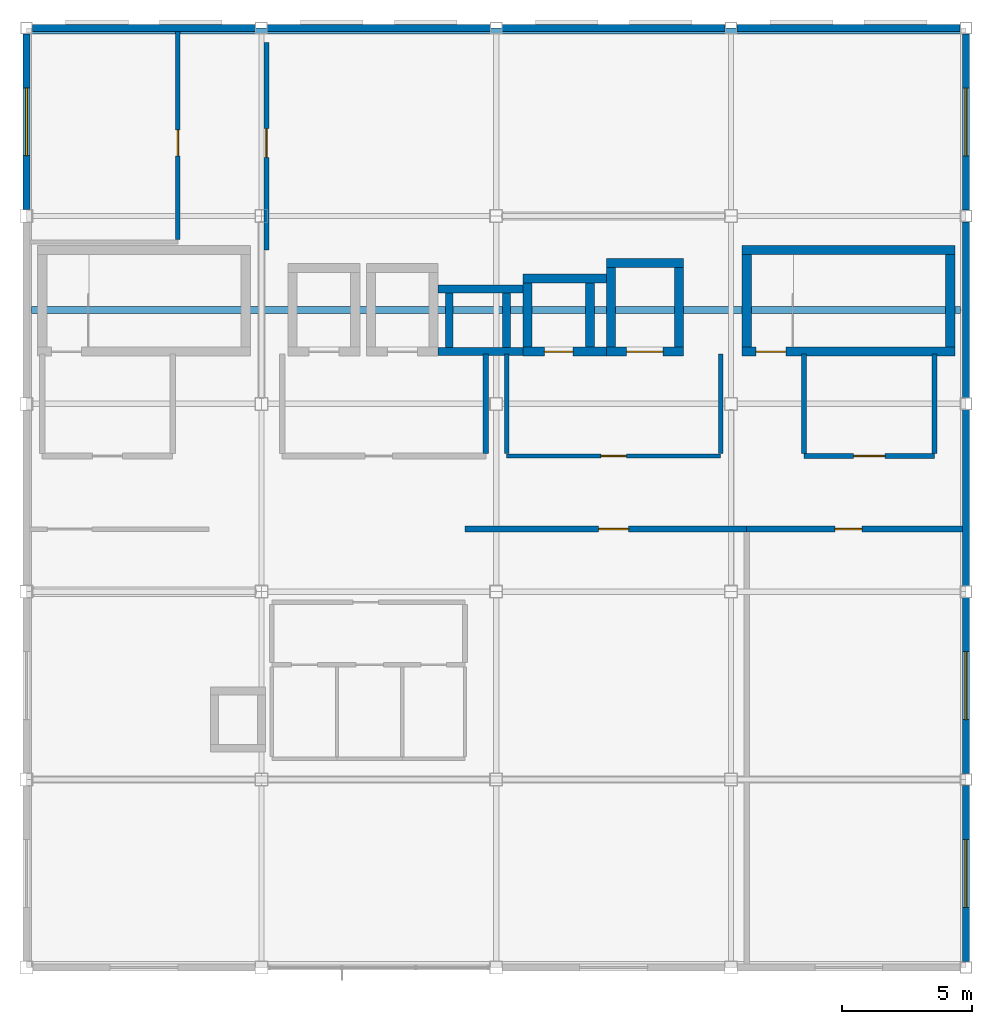
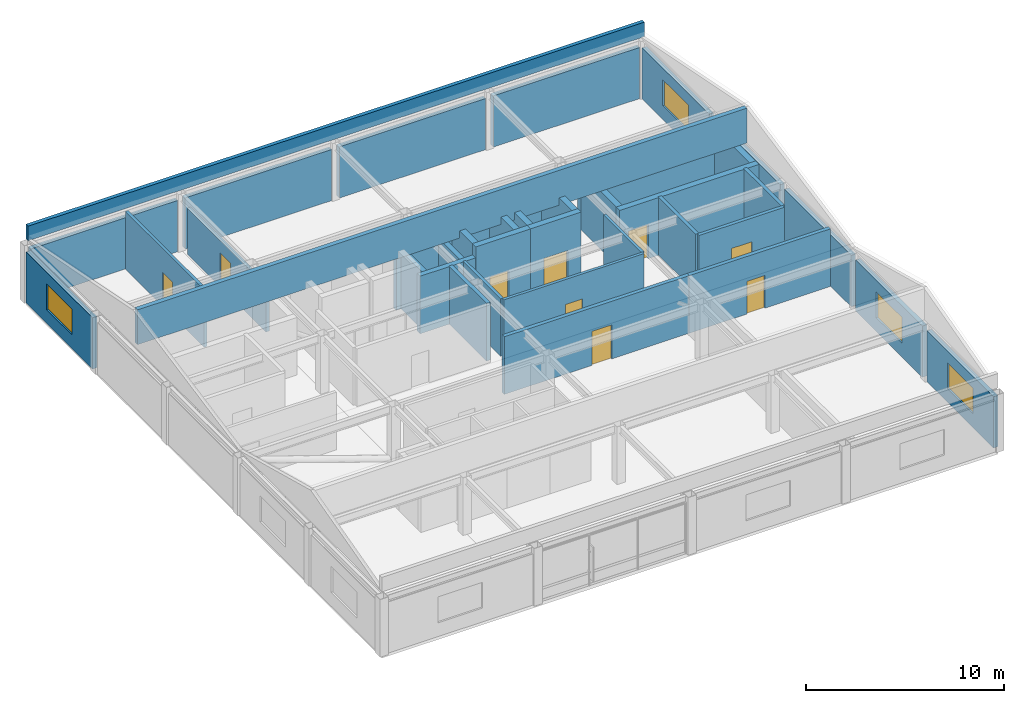
# One storey, part 7 of 9: 39 walls, 9 doors, 4 windows, 13 openings.
"""IFC4 building model written with IfcOpenShell, lengths in metres."""

from ifc_helpers import new_model, si_unit, direction, frame, frame_2d, origin, place, context, subcontext, project, spatial, rectangle, extrude, material, layer, layer_set, type_object, element, fill, save


model = new_model("IFC4")

# Units and contexts
model_context = context("Model", 3, precision=1e-05, world=origin(), true_north=direction((0.0, 1.0)))
body_context = subcontext(model_context, "Body", "Model", "MODEL_VIEW")
ifc_project = project(units=[si_unit("LENGTHUNIT", "METRE"), si_unit("AREAUNIT", "SQUARE_METRE"), si_unit("VOLUMEUNIT", "CUBIC_METRE"), si_unit("PLANEANGLEUNIT", "RADIAN"), si_unit("MASSUNIT", "GRAM", prefix="KILO")], contexts=[model_context])

# Site, building, storey
site_placement = place(None, origin())
site = spatial("IfcSite", under=ifc_project, at=site_placement, CompositionType="ELEMENT")
building_placement = place(site_placement, origin())
building = spatial("IfcBuilding", under=site, at=building_placement, Name="Kazanami Central Library", CompositionType="ELEMENT")
storey_placement = place(building_placement, frame((0.0, 0.0, 31.39990234375)))
storey = spatial("IfcBuildingStorey", under=building, at=storey_placement, Name="L09", CompositionType="ELEMENT", Elevation=31.39990234375)

# Walls
ifc_material_1 = material(Name="Concrete Fc36 (36 MPa)", Category="concrete")
ifc_layer_1 = layer(ifc_material_1, 0.179931640625, Name="Concrete Fc36 (36 MPa)")
ifc_material_2 = material(Name="Extruded Polystyrene XPS", Category="earth")
ifc_layer_2 = layer(ifc_material_2, 0.050048828125, Name="Extruded Polystyrene XPS")
ifc_material_3 = material(Name="Honed Inada Granite", Category="masonry")
ifc_layer_3 = layer(ifc_material_3, 0.030029296875, Name="Honed Inada Granite")
ifc_layer_set_1 = layer_set([ifc_layer_1, ifc_layer_2, ifc_layer_3], Name="Concrete Fc36 (36 MPa)")
wall_type_1 = type_object("IfcWallType", Name="WAL-EW-260", PredefinedType="STANDARD", material=ifc_layer_set_1)
for number, where, z_axis, x_axis, name in (
    (1, (134.77490234375, 93.60009765625, 0.0), (0.0, 0.0, 1.0), (-1.0, 0.0, 0.0), "Exterior Facade Wall EW-260 L09 N-O-14"),
    (2, (143.77490234375, 93.60009765625, 0.0), (0.0, 0.0, 1.0), (-1.0, 0.0, 0.0), "Exterior Facade Wall EW-260 L09 N-O-15"),
    (3, (152.77490234375, 93.60009765625, 0.0), (0.0, 0.0, 1.0), (-1.0, 0.0, 0.0), "Exterior Facade Wall EW-260 L09 N-O-16"),
    (4, (161.77490234375, 93.60009765625, 0.0), (0.0, 0.0, 1.0), (-1.0, 0.0, 0.0), "Exterior Facade Wall EW-260 L09 N-O-17"),
):
    element("IfcWall", number, at=place(storey_placement, frame(where, z_axis=z_axis, x_axis=x_axis)), inside=storey, type_object=wall_type_1, Name=name, PredefinedType="STANDARD", context=body_context, shape_type="SweptSolid", body=[
        extrude(rectangle(XDim=8.5498046875, YDim=0.260009765625, at=frame_2d((4.27490234375, 0.0))), origin(), (0.0, 0.0, 1.0), 3.16015625),
    ])

# Wall, opening, window
wall_1_placement = place(storey_placement, frame((126.0, 86.64990234375, 0.0), z_axis=(0.0, 0.0, 1.0), x_axis=(0.0, 1.0, 0.0)))
wall_1 = element("IfcWall", 5, at=wall_1_placement, inside=storey, type_object=wall_type_1, Name="Exterior Facade Wall EW-260 L09 W-15-12", PredefinedType="STANDARD", context=body_context, shape_type="SweptSolid", body=[
    extrude(rectangle(XDim=6.72509765625, YDim=0.260009765625, at=frame_2d((3.362548828125, 0.0))), origin(), (0.0, 0.0, 1.0), 3.16015625),
])
opening_1_placement = place(wall_1_placement, frame((2.0625, 0.0, 0.85009765625)))
opening_1 = element("IfcOpeningElement", 6, at=opening_1_placement, cuts=wall_1, Name="Opening WN-13", PredefinedType="OPENING", context=body_context, shape_type="SweptSolid", body=[
    extrude(rectangle(XDim=2.60009765625, YDim=1.60009765625, at=frame_2d((1.300048828125, 0.800048828125))), frame((0.0, 0.14208984375, 0.0), z_axis=(0.0, -1.0, 0.0), x_axis=(1.0, 0.0, 0.0)), (0.0, 0.0, 1.0), 0.283935546875),
])
ifc_material_4 = material(Name="Low-E Insulated Triple Glass", Category="glass")
window_type = type_object("IfcWindowType", Name="WIN-WN-13", PartitioningType="DOUBLE_PANEL_VERTICAL", PredefinedType="WINDOW", material=ifc_material_4)
window_1_placement = place(opening_1_placement, origin())
window_1 = element("IfcWindow", 7, at=window_1_placement, inside=storey, type_object=window_type, Name="Facade Window WN-13 L09 W-15-12", OverallHeight=1.60009765625, OverallWidth=2.60009765625, PartitioningType="DOUBLE_PANEL_VERTICAL", PredefinedType="WINDOW", context=body_context, shape_type="SweptSolid", body=[
    extrude(rectangle(XDim=2.60009765625, YDim=1.60009765625, at=frame_2d((1.300048828125, 0.800048828125))), frame((0.0, 0.030029296875, 0.0), z_axis=(0.0, -1.0, 0.0), x_axis=(1.0, 0.0, 0.0)), (0.0, 0.0, 1.0), 0.06005859375),
])
fill(opening_1, window_1)

wall_2_placement = place(storey_placement, frame((162.0, 64.574951171875, 0.0), z_axis=(0.0, 0.0, 1.0), x_axis=(0.0, -1.0, 0.0)))
wall_2 = element("IfcWall", 8, at=wall_2_placement, inside=storey, type_object=wall_type_1, Name="Exterior Facade Wall EW-260 L09 E-19-08", PredefinedType="STANDARD", context=body_context, shape_type="SweptSolid", body=[
    extrude(rectangle(XDim=6.75, YDim=0.260009765625, at=frame_2d((3.375, 0.0))), origin(), (0.0, 0.0, 1.0), 3.16015625),
])
opening_2_placement = place(wall_2_placement, frame((2.074951171875, 0.0, 0.85009765625)))
opening_2 = element("IfcOpeningElement", 9, at=opening_2_placement, cuts=wall_2, Name="Opening WN-13", PredefinedType="OPENING", context=body_context, shape_type="SweptSolid", body=[
    extrude(rectangle(XDim=2.60009765625, YDim=1.60009765625, at=frame_2d((1.300048828125, 0.800048828125))), frame((0.0, 0.14208984375, 0.0), z_axis=(0.0, -1.0, 0.0), x_axis=(1.0, 0.0, 0.0)), (0.0, 0.0, 1.0), 0.283935546875),
])
window_2_placement = place(opening_2_placement, origin())
window_2 = element("IfcWindow", 10, at=window_2_placement, inside=storey, type_object=window_type, Name="Facade Window WN-13 L09 E-19-08", OverallHeight=1.60009765625, OverallWidth=2.60009765625, PartitioningType="DOUBLE_PANEL_VERTICAL", PredefinedType="WINDOW", context=body_context, shape_type="SweptSolid", body=[
    extrude(rectangle(XDim=2.60009765625, YDim=1.60009765625, at=frame_2d((1.300048828125, 0.800048828125))), frame((0.0, 0.030029296875, 0.0), z_axis=(0.0, -1.0, 0.0), x_axis=(1.0, 0.0, 0.0)), (0.0, 0.0, 1.0), 0.06005859375),
])
fill(opening_2, window_2)

wall_3_placement = place(storey_placement, frame((162.0, 71.77490234375, 0.0), z_axis=(0.0, 0.0, 1.0), x_axis=(0.0, -1.0, 0.0)))
wall_3 = element("IfcWall", 11, at=wall_3_placement, inside=storey, type_object=wall_type_1, Name="Exterior Facade Wall EW-260 L09 E-19-09", PredefinedType="STANDARD", context=body_context, shape_type="SweptSolid", body=[
    extrude(rectangle(XDim=6.75, YDim=0.260009765625, at=frame_2d((3.375, 0.0))), origin(), (0.0, 0.0, 1.0), 3.16015625),
])
opening_3_placement = place(wall_3_placement, frame((2.074951171875, 0.0, 0.85009765625)))
opening_3 = element("IfcOpeningElement", 12, at=opening_3_placement, cuts=wall_3, Name="Opening WN-13", PredefinedType="OPENING", context=body_context, shape_type="SweptSolid", body=[
    extrude(rectangle(XDim=2.60009765625, YDim=1.60009765625, at=frame_2d((1.300048828125, 0.800048828125))), frame((0.0, 0.14208984375, 0.0), z_axis=(0.0, -1.0, 0.0), x_axis=(1.0, 0.0, 0.0)), (0.0, 0.0, 1.0), 0.283935546875),
])
window_3_placement = place(opening_3_placement, origin())
window_3 = element("IfcWindow", 13, at=window_3_placement, inside=storey, type_object=window_type, Name="Facade Window WN-13 L09 E-19-09", OverallHeight=1.60009765625, OverallWidth=2.60009765625, PartitioningType="DOUBLE_PANEL_VERTICAL", PredefinedType="WINDOW", context=body_context, shape_type="SweptSolid", body=[
    extrude(rectangle(XDim=2.60009765625, YDim=1.60009765625, at=frame_2d((1.300048828125, 0.800048828125))), frame((0.0, 0.030029296875, 0.0), z_axis=(0.0, -1.0, 0.0), x_axis=(1.0, 0.0, 0.0)), (0.0, 0.0, 1.0), 0.06005859375),
])
fill(opening_3, window_3)

# Walls
for number, where, z_axis, x_axis, name in (
    (14, (162.0, 78.97509765625, 0.0), (0.0, 0.0, 1.0), (0.0, -1.0, 0.0), "Exterior Facade Wall EW-260 L09 E-19-10"),
    (15, (162.0, 86.175048828125, 0.0), (0.0, 0.0, 1.0), (0.0, -1.0, 0.0), "Exterior Facade Wall EW-260 L09 E-19-11"),
):
    element("IfcWall", number, at=place(storey_placement, frame(where, z_axis=z_axis, x_axis=x_axis)), inside=storey, type_object=wall_type_1, Name=name, PredefinedType="STANDARD", context=body_context, shape_type="SweptSolid", body=[
        extrude(rectangle(XDim=6.75, YDim=0.260009765625, at=frame_2d((3.375, 0.0))), origin(), (0.0, 0.0, 1.0), 3.16015625),
    ])

# Wall, opening, window
wall_4_placement = place(storey_placement, frame((162.0, 93.375, 0.0), z_axis=(0.0, 0.0, 1.0), x_axis=(0.0, -1.0, 0.0)))
wall_4 = element("IfcWall", 16, at=wall_4_placement, inside=storey, type_object=wall_type_1, Name="Exterior Facade Wall EW-260 L09 E-19-12", PredefinedType="STANDARD", context=body_context, shape_type="SweptSolid", body=[
    extrude(rectangle(XDim=6.75, YDim=0.260009765625, at=frame_2d((3.375, 0.0))), origin(), (0.0, 0.0, 1.0), 3.16015625),
])
opening_4_placement = place(wall_4_placement, frame((2.074951171875, 0.0, 0.85009765625)))
opening_4 = element("IfcOpeningElement", 17, at=opening_4_placement, cuts=wall_4, Name="Opening WN-13", PredefinedType="OPENING", context=body_context, shape_type="SweptSolid", body=[
    extrude(rectangle(XDim=2.60009765625, YDim=1.60009765625, at=frame_2d((1.300048828125, 0.800048828125))), frame((0.0, 0.14208984375, 0.0), z_axis=(0.0, -1.0, 0.0), x_axis=(1.0, 0.0, 0.0)), (0.0, 0.0, 1.0), 0.283935546875),
])
window_4_placement = place(opening_4_placement, origin())
window_4 = element("IfcWindow", 18, at=window_4_placement, inside=storey, type_object=window_type, Name="Facade Window WN-13 L09 E-19-12", OverallHeight=1.60009765625, OverallWidth=2.60009765625, PartitioningType="DOUBLE_PANEL_VERTICAL", PredefinedType="WINDOW", context=body_context, shape_type="SweptSolid", body=[
    extrude(rectangle(XDim=2.60009765625, YDim=1.60009765625, at=frame_2d((1.300048828125, 0.800048828125))), frame((0.0, 0.030029296875, 0.0), z_axis=(0.0, -1.0, 0.0), x_axis=(1.0, 0.0, 0.0)), (0.0, 0.0, 1.0), 0.06005859375),
])
fill(opening_4, window_4)

# Wall
wall_5_placement = place(storey_placement, frame((126.199951171875, 82.800048828125, 3.800048828125), z_axis=(0.0, 0.0, 1.0), x_axis=(1.0, 0.0, 0.0)))
element("IfcWall", 19, at=wall_5_placement, inside=storey, type_object=wall_type_1, Name="Roof Ridge Support Wall GAB-L09-V2-N", PredefinedType="STANDARD", context=body_context, shape_type="SweptSolid", body=[
    extrude(rectangle(XDim=35.60009765625, YDim=0.260009765625, at=frame_2d((17.800048828125, 0.0))), origin(), (0.0, 0.0, 1.0), 2.150146484375),
])

# Wall, opening, door
ifc_material_5 = material(Name="Fire-Resistant Gypsum Board GB-F", Category="gypsum")
ifc_layer_4 = layer(ifc_material_5, 0.1650390625, Name="Fire-Resistant Gypsum Board GB-F")
ifc_layer_set_2 = layer_set([ifc_layer_4], Name="Fire-Resistant Gypsum Board GB-F")
wall_type_2 = type_object("IfcWallType", Name="WAL-FW-165", PredefinedType="PARTITIONING", material=ifc_layer_set_2)
wall_6_placement = place(storey_placement, frame((144.39990234375, 77.199951171875, 0.0), z_axis=(0.0, 0.0, 1.0), x_axis=(1.0, 0.0, 0.0)))
wall_6 = element("IfcWall", 20, at=wall_6_placement, inside=storey, type_object=wall_type_2, Name="Interior Partition FW-165 L09 LOBBY-V2 (South)", PredefinedType="PARTITIONING", context=body_context, shape_type="SweptSolid", body=[
    extrude(rectangle(XDim=8.2001953125, YDim=0.1650390625, at=frame_2d((4.10009765625, 0.0))), origin(), (0.0, 0.0, 1.0), 3.56005859375),
])
opening_5_placement = place(wall_6_placement, frame((3.610107421875, 0.0, 0.0)))
opening_5 = element("IfcOpeningElement", 21, at=opening_5_placement, cuts=wall_6, Name="Opening FD30-3", PredefinedType="OPENING", context=body_context, shape_type="SweptSolid", body=[
    extrude(rectangle(XDim=0.97998046875, YDim=2.02001953125, at=frame_2d((0.489990234375, 1.010009765625))), frame((0.0, 0.094482421875, 0.0), z_axis=(0.0, -1.0, 0.0), x_axis=(1.0, 0.0, 0.0)), (0.0, 0.0, 1.0), 0.18896484375),
])
ifc_material_6 = material(Name="Cold-Rolled Steel SPCC", Category="steel")
door_type_1 = type_object("IfcDoorType", Name="DOR-FD30-3", OperationType="NOTDEFINED", PredefinedType="DOOR", material=ifc_material_6)
door_1_placement = place(opening_5_placement, frame((0.97998046875, 0.0, 0.0), z_axis=(0.0, 0.0, 1.0), x_axis=(-1.0, 0.0, 0.0)))
door_1 = element("IfcDoor", 22, at=door_1_placement, inside=storey, type_object=door_type_1, Name="Interior Door FD30-3 L09 LOBBY-V2", OperationType="SINGLE_SWING_LEFT", OverallHeight=2.02001953125, OverallWidth=0.97998046875, PredefinedType="DOOR", context=body_context, shape_type="SweptSolid", body=[
    extrude(rectangle(XDim=0.97998046875, YDim=2.02001953125, at=frame_2d((0.489990234375, 1.010009765625))), frame((0.0, 0.02490234375, 0.0), z_axis=(0.0, -1.0, 0.0), x_axis=(1.0, 0.0, 0.0)), (0.0, 0.0, 1.0), 0.050048828125),
])
fill(opening_5, door_1)

# Walls
for number, where, z_axis, x_axis, name in (
    (23, (144.39990234375, 77.2900390625, 0.0), (0.0, 0.0, 1.0), (0.0, 1.0, 0.0), "Interior Partition FW-165 L09 LOBBY-V2 (West)"),
    (24, (152.60009765625, 77.2900390625, 0.0), (0.0, 0.0, 1.0), (0.0, 1.0, 0.0), "Interior Partition FW-165 L09 LOBBY-V2 (East)"),
):
    element("IfcWall", number, at=place(storey_placement, frame(where, z_axis=z_axis, x_axis=x_axis)), inside=storey, type_object=wall_type_2, Name=name, PredefinedType="PARTITIONING", context=body_context, shape_type="SweptSolid", body=[
        extrude(rectangle(XDim=3.820068359375, YDim=0.1650390625, at=frame_2d((1.91015625, 0.0))), origin(), (0.0, 0.0, 1.0), 3.56005859375),
    ])

# Wall, opening, door
wall_7_placement = place(storey_placement, frame((131.800048828125, 85.489990234375, 0.0), z_axis=(0.0, 0.0, 1.0), x_axis=(0.0, 1.0, 0.0)))
wall_7 = element("IfcWall", 25, at=wall_7_placement, inside=storey, type_object=wall_type_2, Name="Interior Partition FW-165 L09 RM-07 (East)", PredefinedType="PARTITIONING", context=body_context, shape_type="SweptSolid", body=[
    extrude(rectangle(XDim=7.97509765625, YDim=0.1650390625, at=frame_2d((3.987548828125, 0.0))), origin(), (0.0, 0.0, 1.0), 3.56005859375),
])
opening_6_placement = place(wall_7_placement, frame((3.2099609375, 0.0, 0.0)))
opening_6 = element("IfcOpeningElement", 26, at=opening_6_placement, cuts=wall_7, Name="Opening FD30-2", PredefinedType="OPENING", context=body_context, shape_type="SweptSolid", body=[
    extrude(rectangle(XDim=1.0, YDim=2.080078125, at=frame_2d((0.5, 1.0400390625))), frame((0.0, 0.094482421875, 0.0), z_axis=(0.0, -1.0, 0.0), x_axis=(1.0, 0.0, 0.0)), (0.0, 0.0, 1.0), 0.18896484375),
])
door_type_2 = type_object("IfcDoorType", Name="DOR-FD30-2", OperationType="NOTDEFINED", PredefinedType="DOOR", material=ifc_material_6)
door_2_placement = place(opening_6_placement, origin())
door_2 = element("IfcDoor", 27, at=door_2_placement, inside=storey, type_object=door_type_2, Name="Interior Door FD30-2 L09 RM-07", OperationType="SINGLE_SWING_RIGHT", OverallHeight=2.080078125, OverallWidth=1.0, PredefinedType="DOOR", context=body_context, shape_type="SweptSolid", body=[
    extrude(rectangle(XDim=1.0, YDim=2.080078125, at=frame_2d((0.5, 1.0400390625))), frame((0.0, 0.02490234375, 0.0), z_axis=(0.0, -1.0, 0.0), x_axis=(1.0, 0.0, 0.0)), (0.0, 0.0, 1.0), 0.050048828125),
])
fill(opening_6, door_2)

ifc_layer_5 = layer(ifc_material_5, 0.199951171875, Name="Fire-Resistant Gypsum Board GB-F")
ifc_layer_set_3 = layer_set([ifc_layer_5], Name="Fire-Resistant Gypsum Board GB-F")
wall_type_3 = type_object("IfcWallType", Name="WAL-FW-200", PredefinedType="PARTITIONING", material=ifc_layer_set_3)
wall_8_placement = place(storey_placement, frame((155.800048828125, 77.199951171875, 0.0), z_axis=(0.0, 0.0, 1.0), x_axis=(1.0, 0.0, 0.0)))
wall_8 = element("IfcWall", 28, at=wall_8_placement, inside=storey, type_object=wall_type_3, Name="Interior Partition FW-200 L09 VEST-ST-02 (South)", PredefinedType="PARTITIONING", context=body_context, shape_type="SweptSolid", body=[
    extrude(rectangle(XDim=5.0, YDim=0.199951171875, at=frame_2d((2.5, 0.0))), origin(), (0.0, 0.0, 1.0), 3.56005859375),
])
opening_7_placement = place(wall_8_placement, frame((1.89990234375, 0.0, 0.0)))
opening_7 = element("IfcOpeningElement", 29, at=opening_7_placement, cuts=wall_8, Name="Opening FD60-1", PredefinedType="OPENING", context=body_context, shape_type="SweptSolid", body=[
    extrude(rectangle(XDim=1.199951171875, YDim=2.10009765625, at=frame_2d((0.60009765625, 1.050048828125))), frame((0.0, 0.11181640625, 0.0), z_axis=(0.0, -1.0, 0.0), x_axis=(1.0, 0.0, 0.0)), (0.0, 0.0, 1.0), 0.223876953125),
])
door_type_3 = type_object("IfcDoorType", Name="DOR-FD60-1", OperationType="NOTDEFINED", PredefinedType="DOOR", material=ifc_material_6)
door_3_placement = place(opening_7_placement, origin())
door_3 = element("IfcDoor", 30, at=door_3_placement, inside=storey, type_object=door_type_3, Name="Interior Door FD60-1 L09 VEST-ST-02", OperationType="SINGLE_SWING_LEFT", OverallHeight=2.10009765625, OverallWidth=1.199951171875, PredefinedType="DOOR", context=body_context, shape_type="SweptSolid", body=[
    extrude(rectangle(XDim=1.199951171875, YDim=2.10009765625, at=frame_2d((0.60009765625, 1.050048828125))), frame((0.0, 0.02490234375, 0.0), z_axis=(0.0, -1.0, 0.0), x_axis=(1.0, 0.0, 0.0)), (0.0, 0.0, 1.0), 0.050048828125),
])
fill(opening_7, door_3)

# Walls
for number, where, z_axis, x_axis, name in (
    (31, (155.800048828125, 77.2900390625, 0.0), (0.0, 0.0, 1.0), (0.0, 1.0, 0.0), "Interior Partition FW-200 L09 VEST-ST-02 (West)"),
    (32, (160.800048828125, 77.2900390625, 0.0), (0.0, 0.0, 1.0), (0.0, 1.0, 0.0), "Interior Partition FW-200 L09 VEST-ST-02 (East)"),
):
    element("IfcWall", number, at=place(storey_placement, frame(where, z_axis=z_axis, x_axis=x_axis)), inside=storey, type_object=wall_type_3, Name=name, PredefinedType="PARTITIONING", context=body_context, shape_type="SweptSolid", body=[
        extrude(rectangle(XDim=3.820068359375, YDim=0.199951171875, at=frame_2d((1.91015625, 0.0))), origin(), (0.0, 0.0, 1.0), 3.56005859375),
    ])

# Wall, opening, door
wall_9_placement = place(storey_placement, frame((135.199951171875, 85.090087890625, 0.0), z_axis=(0.0, 0.0, 1.0), x_axis=(0.0, 1.0, 0.0)))
wall_9 = element("IfcWall", 33, at=wall_9_placement, inside=storey, type_object=wall_type_3, Name="Interior Partition FW-200 L09 RM-08 (West)", PredefinedType="PARTITIONING", context=body_context, shape_type="SweptSolid", body=[
    extrude(rectangle(XDim=7.954833984375, YDim=0.199951171875, at=frame_2d((3.9775390625, 0.0))), origin(), (0.0, 0.0, 1.0), 2.840087890625),
])
opening_8_placement = place(wall_9_placement, frame((3.56005859375, 0.0, 0.0)))
opening_8 = element("IfcOpeningElement", 34, at=opening_8_placement, cuts=wall_9, Name="Opening FD60-3", PredefinedType="OPENING", context=body_context, shape_type="SweptSolid", body=[
    extrude(rectangle(XDim=1.10009765625, YDim=2.080078125, at=frame_2d((0.550048828125, 1.0400390625))), frame((0.0, 0.11181640625, 0.0), z_axis=(0.0, -1.0, 0.0), x_axis=(1.0, 0.0, 0.0)), (0.0, 0.0, 1.0), 0.223876953125),
])
door_type_4 = type_object("IfcDoorType", Name="DOR-FD60-3", OperationType="NOTDEFINED", PredefinedType="DOOR", material=ifc_material_6)
door_4_placement = place(opening_8_placement, origin())
door_4 = element("IfcDoor", 35, at=door_4_placement, inside=storey, type_object=door_type_4, Name="Interior Door FD60-3 L09 RM-08", OperationType="SINGLE_SWING_LEFT", OverallHeight=2.080078125, OverallWidth=1.10009765625, PredefinedType="DOOR", context=body_context, shape_type="SweptSolid", body=[
    extrude(rectangle(XDim=1.10009765625, YDim=2.080078125, at=frame_2d((0.550048828125, 1.0400390625))), frame((0.0, 0.02490234375, 0.0), z_axis=(0.0, -1.0, 0.0), x_axis=(1.0, 0.0, 0.0)), (0.0, 0.0, 1.0), 0.050048828125),
])
fill(opening_8, door_4)

# Wall
ifc_layer_6 = layer(ifc_material_5, 0.219970703125, Name="Fire-Resistant Gypsum Board GB-F")
ifc_layer_set_4 = layer_set([ifc_layer_6], Name="Fire-Resistant Gypsum Board GB-F")
wall_type_4 = type_object("IfcWallType", Name="WAL-FW-220", PredefinedType="PARTITIONING", material=ifc_layer_set_4)
wall_10_placement = place(storey_placement, frame((143.60009765625, 77.2900390625, 0.0), z_axis=(0.0, 0.0, 1.0), x_axis=(0.0, 1.0, 0.0)))
element("IfcWall", 36, at=wall_10_placement, inside=storey, type_object=wall_type_4, Name="Interior Partition FW-220 L09 LOBBY-FF (East)", PredefinedType="PARTITIONING", context=body_context, shape_type="SweptSolid", body=[
    extrude(rectangle(XDim=3.820068359375, YDim=0.219970703125, at=frame_2d((1.91015625, 0.0))), origin(), (0.0, 0.0, 1.0), 3.56005859375),
])

# Wall, opening, door
wall_11_placement = place(storey_placement, frame((142.800048828125, 74.39990234375, 0.0), z_axis=(0.0, 0.0, 1.0), x_axis=(1.0, 0.0, 0.0)))
wall_11 = element("IfcWall", 37, at=wall_11_placement, inside=storey, type_object=wall_type_4, Name="Interior Partition FW-220 L09 RM-05 (North)", PredefinedType="PARTITIONING", context=body_context, shape_type="SweptSolid", body=[
    extrude(rectangle(XDim=10.800048828125, YDim=0.219970703125, at=frame_2d((5.39990234375, 0.0))), origin(), (0.0, 0.0, 1.0), 3.56005859375),
])
opening_9_placement = place(wall_11_placement, frame((5.125, 0.0, 0.0)))
opening_9 = element("IfcOpeningElement", 38, at=opening_9_placement, cuts=wall_11, Name="Opening FD60-2", PredefinedType="OPENING", context=body_context, shape_type="SweptSolid", body=[
    extrude(rectangle(XDim=1.14990234375, YDim=2.10009765625, at=frame_2d((0.574951171875, 1.050048828125))), frame((0.0, 0.1220703125, 0.0), z_axis=(0.0, -1.0, 0.0), x_axis=(1.0, 0.0, 0.0)), (0.0, 0.0, 1.0), 0.243896484375),
])
door_type_5 = type_object("IfcDoorType", Name="DOR-FD60-2", OperationType="NOTDEFINED", PredefinedType="DOOR", material=ifc_material_6)
door_5_placement = place(opening_9_placement, origin())
door_5 = element("IfcDoor", 39, at=door_5_placement, inside=storey, type_object=door_type_5, Name="Interior Door FD60-2 L09 RM-05", OperationType="SINGLE_SWING_RIGHT", OverallHeight=2.10009765625, OverallWidth=1.14990234375, PredefinedType="DOOR", context=body_context, shape_type="SweptSolid", body=[
    extrude(rectangle(XDim=1.14990234375, YDim=2.10009765625, at=frame_2d((0.574951171875, 1.050048828125))), frame((0.0, 0.02490234375, 0.0), z_axis=(0.0, -1.0, 0.0), x_axis=(1.0, 0.0, 0.0)), (0.0, 0.0, 1.0), 0.050048828125),
])
fill(opening_9, door_5)

wall_12_placement = place(storey_placement, frame((153.60009765625, 74.39990234375, 0.0), z_axis=(0.0, 0.0, 1.0), x_axis=(1.0, 0.0, 0.0)))
wall_12 = element("IfcWall", 40, at=wall_12_placement, inside=storey, type_object=wall_type_4, Name="Interior Partition FW-220 L09 RM-06 (North)", PredefinedType="PARTITIONING", context=body_context, shape_type="SweptSolid", body=[
    extrude(rectangle(XDim=8.264892578125, YDim=0.219970703125, at=frame_2d((4.13232421875, 0.0))), origin(), (0.0, 0.0, 1.0), 3.56005859375),
])
opening_10_placement = place(wall_12_placement, frame((3.375, 0.0, 0.0)))
opening_10 = element("IfcOpeningElement", 41, at=opening_10_placement, cuts=wall_12, Name="Opening FD60-8", PredefinedType="OPENING", context=body_context, shape_type="SweptSolid", body=[
    extrude(rectangle(XDim=1.050048828125, YDim=2.02001953125, at=frame_2d((0.52490234375, 1.010009765625))), frame((0.0, 0.1220703125, 0.0), z_axis=(0.0, -1.0, 0.0), x_axis=(1.0, 0.0, 0.0)), (0.0, 0.0, 1.0), 0.243896484375),
])
door_type_6 = type_object("IfcDoorType", Name="DOR-FD60-8", OperationType="NOTDEFINED", PredefinedType="DOOR", material=ifc_material_6)
door_6_placement = place(opening_10_placement, origin())
door_6 = element("IfcDoor", 42, at=door_6_placement, inside=storey, type_object=door_type_6, Name="Interior Door FD60-8 L09 RM-06", OperationType="SINGLE_SWING_LEFT", OverallHeight=2.02001953125, OverallWidth=1.050048828125, PredefinedType="DOOR", context=body_context, shape_type="SweptSolid", body=[
    extrude(rectangle(XDim=1.050048828125, YDim=2.02001953125, at=frame_2d((0.52490234375, 1.010009765625))), frame((0.0, 0.02490234375, 0.0), z_axis=(0.0, -1.0, 0.0), x_axis=(1.0, 0.0, 0.0)), (0.0, 0.0, 1.0), 0.050048828125),
])
fill(opening_10, door_6)

# Walls
ifc_layer_7 = layer(ifc_material_1, 0.219970703125, Name="Concrete Fc36 (36 MPa)")
ifc_layer_set_5 = layer_set([ifc_layer_7], Name="Concrete Fc36 (36 MPa)")
wall_type_5 = type_object("IfcWallType", Name="WAL-PW-220", PredefinedType="PARAPET", material=ifc_layer_set_5)
wall_13_placement = place(storey_placement, frame((126.0, 93.489990234375, 3.800048828125), z_axis=(0.0, 0.0, 1.0), x_axis=(1.0, 0.0, 0.0)))
element("IfcWall", 43, at=wall_13_placement, inside=storey, type_object=wall_type_5, Name="Roof Eave Parapet V2-N", PredefinedType="PARAPET", context=body_context, shape_type="SweptSolid", body=[
    extrude(rectangle(XDim=36.0, YDim=0.219970703125, at=frame_2d((18.0, 0.0))), origin(), (0.0, 0.0, 1.0), 0.900146484375),
])
ifc_layer_8 = layer(ifc_material_1, 0.300048828125, Name="Concrete Fc36 (36 MPa)")
ifc_layer_set_6 = layer_set([ifc_layer_8], Name="Concrete Fc36 (36 MPa)")
wall_type_6 = type_object("IfcWallType", Name="WAL-SW-300", PredefinedType="SHEAR", material=ifc_layer_set_6)
for number, where, z_axis, x_axis, name in (
    (44, (141.77490234375, 81.199951171875, 0.0), (0.0, 0.0, 1.0), (1.0, 0.0, 0.0), "Service Riser Wall RSR-V2-A S L09"),
    (45, (141.77490234375, 83.60009765625, 0.0), (0.0, 0.0, 1.0), (1.0, 0.0, 0.0), "Service Riser Wall RSR-V2-A N L09"),
):
    element("IfcWall", number, at=place(storey_placement, frame(where, z_axis=z_axis, x_axis=x_axis)), inside=storey, type_object=wall_type_6, Name=name, PredefinedType="SHEAR", context=body_context, shape_type="SweptSolid", body=[
        extrude(rectangle(XDim=3.25, YDim=0.300048828125, at=frame_2d((1.625, 0.0))), origin(), (0.0, 0.0, 1.0), 3.56005859375),
    ])
for number, where, z_axis, x_axis, name in (
    (46, (142.199951171875, 81.35009765625, 0.0), (0.0, 0.0, 1.0), (0.0, 1.0, 0.0), "Service Riser Wall RSR-V2-A W L09"),
    (47, (144.39990234375, 81.35009765625, 0.0), (0.0, 0.0, 1.0), (0.0, 1.0, 0.0), "Service Riser Wall RSR-V2-A E L09"),
):
    element("IfcWall", number, at=place(storey_placement, frame(where, z_axis=z_axis, x_axis=x_axis)), inside=storey, type_object=wall_type_6, Name=name, PredefinedType="SHEAR", context=body_context, shape_type="SweptSolid", body=[
        extrude(rectangle(XDim=2.099853515625, YDim=0.300048828125, at=frame_2d((1.0498046875, 0.0))), origin(), (0.0, 0.0, 1.0), 3.56005859375),
    ])

# Wall, opening, door
ifc_layer_9 = layer(ifc_material_1, 0.35009765625, Name="Concrete Fc36 (36 MPa)")
ifc_layer_set_7 = layer_set([ifc_layer_9], Name="Concrete Fc36 (36 MPa)")
wall_type_7 = type_object("IfcWallType", Name="WAL-SW-350", PredefinedType="SHEAR", material=ifc_layer_set_7)
wall_14_placement = place(storey_placement, frame((153.425048828125, 81.199951171875, 0.0), z_axis=(0.0, 0.0, 1.0), x_axis=(1.0, 0.0, 0.0)))
wall_14 = element("IfcWall", 48, at=wall_14_placement, inside=storey, type_object=wall_type_7, Name="Stair Core Wall ST-02 South L09", PredefinedType="SHEAR", context=body_context, shape_type="SweptSolid", body=[
    extrude(rectangle(XDim=8.14990234375, YDim=0.35009765625, at=frame_2d((4.074951171875, 0.0))), origin(), (0.0, 0.0, 1.0), 3.56005859375),
])
opening_11_placement = place(wall_14_placement, frame((0.52490234375, 0.0, 0.0)))
opening_11 = element("IfcOpeningElement", 49, at=opening_11_placement, cuts=wall_14, Name="Opening FD60-2", PredefinedType="OPENING", context=body_context, shape_type="SweptSolid", body=[
    extrude(rectangle(XDim=1.14990234375, YDim=2.10009765625, at=frame_2d((0.574951171875, 1.050048828125))), frame((0.0, 0.18701171875, 0.0), z_axis=(0.0, -1.0, 0.0), x_axis=(1.0, 0.0, 0.0)), (0.0, 0.0, 1.0), 0.3740234375),
])
door_7_placement = place(opening_11_placement, origin())
door_7 = element("IfcDoor", 50, at=door_7_placement, inside=storey, type_object=door_type_5, Name="Escape Stair ST-02 Fire Door L09", OperationType="SINGLE_SWING_RIGHT", OverallHeight=2.10009765625, OverallWidth=1.14990234375, PredefinedType="DOOR", context=body_context, shape_type="SweptSolid", body=[
    extrude(rectangle(XDim=1.14990234375, YDim=2.10009765625, at=frame_2d((0.574951171875, 1.050048828125))), frame((0.0, 0.02490234375, 0.0), z_axis=(0.0, -1.0, 0.0), x_axis=(1.0, 0.0, 0.0)), (0.0, 0.0, 1.0), 0.050048828125),
])
fill(opening_11, door_7)

# Walls
wall_15_placement = place(storey_placement, frame((153.425048828125, 85.10009765625, 0.0), z_axis=(0.0, 0.0, 1.0), x_axis=(1.0, 0.0, 0.0)))
element("IfcWall", 51, at=wall_15_placement, inside=storey, type_object=wall_type_7, Name="Stair Core Wall ST-02 North L09", PredefinedType="SHEAR", context=body_context, shape_type="SweptSolid", body=[
    extrude(rectangle(XDim=8.14990234375, YDim=0.35009765625, at=frame_2d((4.074951171875, 0.0))), origin(), (0.0, 0.0, 1.0), 3.56005859375),
])
for number, where, z_axis, x_axis, name in (
    (52, (153.60009765625, 81.375, 0.0), (0.0, 0.0, 1.0), (0.0, 1.0, 0.0), "Stair Core Wall ST-02 West L09"),
    (53, (161.39990234375, 81.375, 0.0), (0.0, 0.0, 1.0), (0.0, 1.0, 0.0), "Stair Core Wall ST-02 East L09"),
):
    element("IfcWall", number, at=place(storey_placement, frame(where, z_axis=z_axis, x_axis=x_axis)), inside=storey, type_object=wall_type_7, Name=name, PredefinedType="SHEAR", context=body_context, shape_type="SweptSolid", body=[
        extrude(rectangle(XDim=3.550048828125, YDim=0.35009765625, at=frame_2d((1.77490234375, 0.0))), origin(), (0.0, 0.0, 1.0), 3.56005859375),
    ])

# Wall, opening, door
wall_16_placement = place(storey_placement, frame((145.02490234375, 81.199951171875, 0.0), z_axis=(0.0, 0.0, 1.0), x_axis=(1.0, 0.0, 0.0)))
wall_16 = element("IfcWall", 54, at=wall_16_placement, inside=storey, type_object=wall_type_7, Name="Lift Shaft Wall EL-P1 South L09", PredefinedType="SHEAR", context=body_context, shape_type="SweptSolid", body=[
    extrude(rectangle(XDim=3.2001953125, YDim=0.35009765625, at=frame_2d((1.60009765625, 0.0))), origin(), (0.0, 0.0, 1.0), 4.25),
])
opening_12_placement = place(wall_16_placement, frame((0.824951171875, 0.0, 0.0)))
opening_12 = element("IfcOpeningElement", 55, at=opening_12_placement, cuts=wall_16, Name="Opening LD-01", PredefinedType="OPENING", context=body_context, shape_type="SweptSolid", body=[
    extrude(rectangle(XDim=1.10009765625, YDim=2.10009765625, at=frame_2d((0.550048828125, 1.050048828125))), frame((0.0, 0.18701171875, 0.0), z_axis=(0.0, -1.0, 0.0), x_axis=(1.0, 0.0, 0.0)), (0.0, 0.0, 1.0), 0.3740234375),
])
ifc_material_7 = material(Name="Stainless Steel SUS304", Category="steel")
door_type_7 = type_object("IfcDoorType", Name="DOR-LD-01", OperationType="SLIDING_TO_LEFT", PredefinedType="DOOR", material=ifc_material_7)
door_8_placement = place(opening_12_placement, origin())
door_8 = element("IfcDoor", 56, at=door_8_placement, inside=storey, type_object=door_type_7, Name="Lift Landing Sliding Door EL-P1 (L09)", OperationType="SLIDING_TO_LEFT", OverallHeight=2.10009765625, OverallWidth=1.10009765625, PredefinedType="DOOR", context=body_context, shape_type="SweptSolid", body=[
    extrude(rectangle(XDim=1.10009765625, YDim=2.10009765625, at=frame_2d((0.550048828125, 1.050048828125))), frame((0.0, 0.02490234375, 0.0), z_axis=(0.0, -1.0, 0.0), x_axis=(1.0, 0.0, 0.0)), (0.0, 0.0, 1.0), 0.050048828125),
])
fill(opening_12, door_8)

# Walls
wall_17_placement = place(storey_placement, frame((145.02490234375, 84.0, 0.0), z_axis=(0.0, 0.0, 1.0), x_axis=(1.0, 0.0, 0.0)))
element("IfcWall", 57, at=wall_17_placement, inside=storey, type_object=wall_type_7, Name="Lift Shaft Wall EL-P1 North L09", PredefinedType="SHEAR", context=body_context, shape_type="SweptSolid", body=[
    extrude(rectangle(XDim=3.2001953125, YDim=0.35009765625, at=frame_2d((1.60009765625, 0.0))), origin(), (0.0, 0.0, 1.0), 4.25),
])
for number, where, z_axis, x_axis, name in (
    (58, (145.199951171875, 81.375, 0.0), (0.0, 0.0, 1.0), (0.0, 1.0, 0.0), "Lift Shaft Wall EL-P1 West L09"),
    (59, (147.60009765625, 81.375, 0.0), (0.0, 0.0, 1.0), (0.0, 1.0, 0.0), "Lift Shaft Wall EL-P1 East L09"),
):
    element("IfcWall", number, at=place(storey_placement, frame(where, z_axis=z_axis, x_axis=x_axis)), inside=storey, type_object=wall_type_7, Name=name, PredefinedType="SHEAR", context=body_context, shape_type="SweptSolid", body=[
        extrude(rectangle(XDim=2.449951171875, YDim=0.35009765625, at=frame_2d((1.22509765625, 0.0))), origin(), (0.0, 0.0, 1.0), 4.25),
    ])

# Wall, opening, door
wall_18_placement = place(storey_placement, frame((148.22509765625, 81.199951171875, 0.0), z_axis=(0.0, 0.0, 1.0), x_axis=(1.0, 0.0, 0.0)))
wall_18 = element("IfcWall", 60, at=wall_18_placement, inside=storey, type_object=wall_type_7, Name="Lift Shaft Wall EL-S1 South L09", PredefinedType="SHEAR", context=body_context, shape_type="SweptSolid", body=[
    extrude(rectangle(XDim=2.949951171875, YDim=0.35009765625, at=frame_2d((1.47509765625, 0.0))), origin(), (0.0, 0.0, 1.0), 4.25),
])
opening_13_placement = place(wall_18_placement, frame((0.77490234375, 0.0, 0.0)))
opening_13 = element("IfcOpeningElement", 61, at=opening_13_placement, cuts=wall_18, Name="Opening LD-03", PredefinedType="OPENING", context=body_context, shape_type="SweptSolid", body=[
    extrude(rectangle(XDim=1.39990234375, YDim=2.14990234375, at=frame_2d((0.699951171875, 1.074951171875))), frame((0.0, 0.18701171875, 0.0), z_axis=(0.0, -1.0, 0.0), x_axis=(1.0, 0.0, 0.0)), (0.0, 0.0, 1.0), 0.3740234375),
])
door_type_8 = type_object("IfcDoorType", Name="DOR-LD-03", OperationType="SLIDING_TO_LEFT", PredefinedType="DOOR", material=ifc_material_7)
door_9_placement = place(opening_13_placement, origin())
door_9 = element("IfcDoor", 62, at=door_9_placement, inside=storey, type_object=door_type_8, Name="Lift Landing Sliding Door EL-S1 (L09)", OperationType="SLIDING_TO_LEFT", OverallHeight=2.14990234375, OverallWidth=1.39990234375, PredefinedType="DOOR", context=body_context, shape_type="SweptSolid", body=[
    extrude(rectangle(XDim=1.39990234375, YDim=2.14990234375, at=frame_2d((0.699951171875, 1.074951171875))), frame((0.0, 0.02490234375, 0.0), z_axis=(0.0, -1.0, 0.0), x_axis=(1.0, 0.0, 0.0)), (0.0, 0.0, 1.0), 0.050048828125),
])
fill(opening_13, door_9)

# Walls
wall_19_placement = place(storey_placement, frame((148.22509765625, 84.60009765625, 0.0), z_axis=(0.0, 0.0, 1.0), x_axis=(1.0, 0.0, 0.0)))
element("IfcWall", 63, at=wall_19_placement, inside=storey, type_object=wall_type_7, Name="Lift Shaft Wall EL-S1 North L09", PredefinedType="SHEAR", context=body_context, shape_type="SweptSolid", body=[
    extrude(rectangle(XDim=2.949951171875, YDim=0.35009765625, at=frame_2d((1.47509765625, 0.0))), origin(), (0.0, 0.0, 1.0), 4.25),
])
for number, where, z_axis, x_axis, name in (
    (64, (148.39990234375, 81.375, 0.0), (0.0, 0.0, 1.0), (0.0, 1.0, 0.0), "Lift Shaft Wall EL-S1 West L09"),
    (65, (151.0, 81.375, 0.0), (0.0, 0.0, 1.0), (0.0, 1.0, 0.0), "Lift Shaft Wall EL-S1 East L09"),
):
    element("IfcWall", number, at=place(storey_placement, frame(where, z_axis=z_axis, x_axis=x_axis)), inside=storey, type_object=wall_type_7, Name=name, PredefinedType="SHEAR", context=body_context, shape_type="SweptSolid", body=[
        extrude(rectangle(XDim=3.050048828125, YDim=0.35009765625, at=frame_2d((1.52490234375, 0.0))), origin(), (0.0, 0.0, 1.0), 4.25),
    ])

save(model, "model.ifc")
